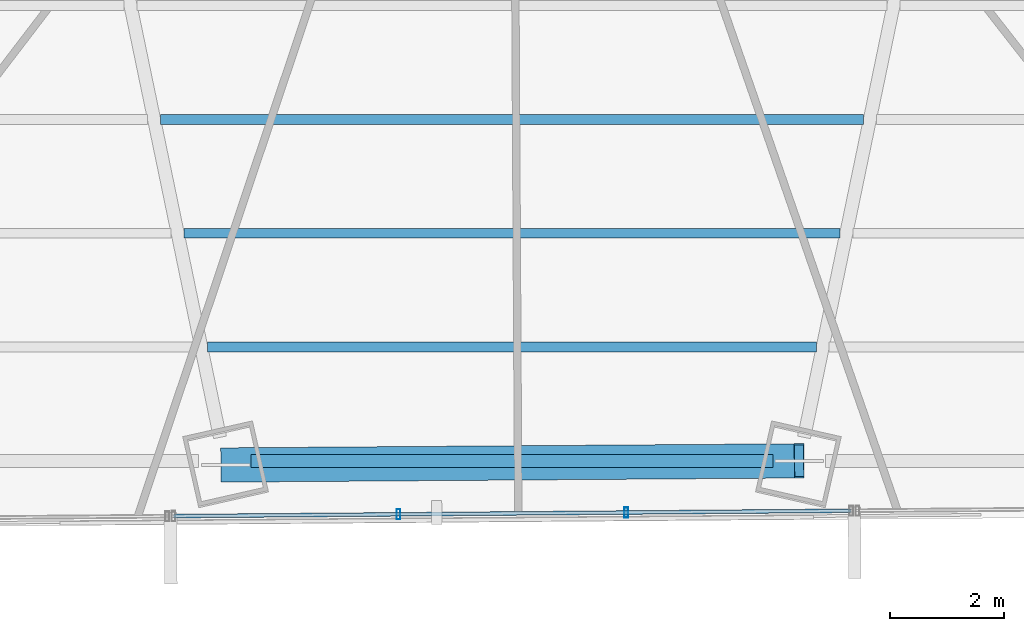
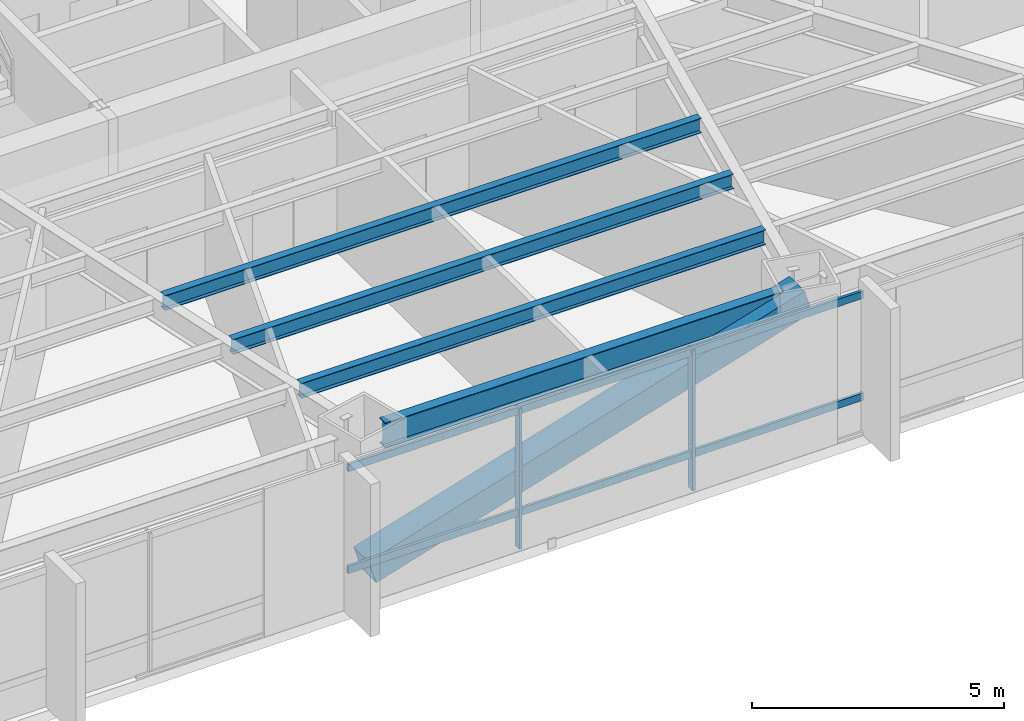
# One storey, part 8 of 34: 5 members, 4 beams, 1 element without a shape of its own.
"""IFC4 building model written with IfcOpenShell, lengths in metres."""

from ifc_helpers import new_model, si_unit, direction, frame, origin, origin_2d, place, context, subcontext, project, spatial, hollow_rectangle, i_section, extrude, source, transform, mapped, material, material_profile, profile_set, type_object, type_shapes, element, aggregate, save


model = new_model("IFC4")

# Units and contexts
model_context = context("Model", 3, precision=1e-05, world=origin(), true_north=direction((0.0, 1.0)))
body_context = subcontext(model_context, "Body", "Model", "MODEL_VIEW")
ifc_project = project(units=[si_unit("LENGTHUNIT", "METRE"), si_unit("AREAUNIT", "SQUARE_METRE"), si_unit("VOLUMEUNIT", "CUBIC_METRE"), si_unit("PLANEANGLEUNIT", "RADIAN"), si_unit("MASSUNIT", "GRAM", prefix="KILO")], contexts=[model_context])

# Site, building, storey
site_placement = place(None, origin())
site = spatial("IfcSite", under=ifc_project, at=site_placement, CompositionType="ELEMENT")
building_placement = place(site_placement, origin())
building = spatial("IfcBuilding", under=site, at=building_placement, Name="Caelisora Broadcast Tower", CompositionType="ELEMENT")
storey_placement = place(building_placement, frame((0.0, 0.0, 56.800048828125)))
storey = spatial("IfcBuildingStorey", under=building, at=storey_placement, Name="L14", CompositionType="ELEMENT", Elevation=56.800048828125)

# Beams
ifc_material_1 = material(Name="Steel Grade 350 (AS/NZS 3679.1)", Category="steel")
ifc_material_profile_1 = material_profile(ifc_material_1, i_section(OverallWidth=0.22900390625, OverallDepth=0.611572265625, WebThickness=0.011962890625, FlangeThickness=0.01953125, at=origin_2d()), Name="Steel Grade 350 (AS/NZS 3679.1)")
ifc_profile_set_1 = profile_set([ifc_material_profile_1], Name="Steel Grade 350 (AS/NZS 3679.1)")
beam_type_1 = type_object("IfcBeamType", Name="PG03", PredefinedType="BEAM", material=ifc_profile_set_1)
shared_shape_1 = source(origin(), body_context, "Body", "SweptSolid", [
    extrude(i_section(OverallWidth=0.22900390625, OverallDepth=0.611572265625, WebThickness=0.011962890625, FlangeThickness=0.01953125, at=origin_2d()), origin(), (0.0, 0.0, 1.0), 9.1298828125),
])
type_shapes(beam_type_1, [shared_shape_1])
beam_1_placement = place(storey_placement, frame((33.43505859375, 5.45068359375, 3.09423828125), z_axis=(1.0, 0.0, 0.0), x_axis=(0.0, 1.0, 0.0)))
element("IfcBeam", 1, at=beam_1_placement, inside=storey, type_object=beam_type_1, Name="L14 beam PG03", PredefinedType="BEAM", context=body_context, shape_type="MappedRepresentation", body=[
    mapped(shared_shape_1, transform((0.0, 0.0, 0.0), scale=1.0)),
])
ifc_material_profile_2 = material_profile(ifc_material_1, i_section(OverallWidth=0.172119140625, OverallDepth=0.358642578125, WebThickness=0.008056640625, FlangeThickness=0.012939453125, at=origin_2d()), Name="Steel Grade 350 (AS/NZS 3679.1)")
ifc_profile_set_2 = profile_set([ifc_material_profile_2], Name="Steel Grade 350 (AS/NZS 3679.1)")
beam_type_2 = type_object("IfcBeamType", Name="SB02", PredefinedType="JOIST", material=ifc_profile_set_2)
shared_shape_2 = source(origin(), body_context, "Body", "SweptSolid", [
    extrude(i_section(OverallWidth=0.172119140625, OverallDepth=0.358642578125, WebThickness=0.008056640625, FlangeThickness=0.012939453125, at=origin_2d()), origin(), (0.0, 0.0, 1.0), 12.29833984375),
])
beam_2_placement = place(storey_placement, frame((31.850830078125, 11.42529296875, 3.220703125), z_axis=(1.0, 0.0, 0.0), x_axis=(0.0, 1.0, 0.0)))
element("IfcBeam", 2, at=beam_2_placement, inside=storey, type_object=beam_type_2, Name="L14 beam SB02", PredefinedType="JOIST", context=body_context, shape_type="MappedRepresentation", body=[
    mapped(shared_shape_2, transform((0.0, 0.0, 0.0), scale=1.0)),
])
shared_shape_3 = source(origin(), body_context, "Body", "SweptSolid", [
    extrude(i_section(OverallWidth=0.172119140625, OverallDepth=0.358642578125, WebThickness=0.008056640625, FlangeThickness=0.012939453125, at=origin_2d()), origin(), (0.0, 0.0, 1.0), 11.47314453125),
])
beam_3_placement = place(storey_placement, frame((32.263427734375, 9.433837890625, 3.220703125), z_axis=(1.0, 0.0, 0.0), x_axis=(0.0, 1.0, 0.0)))
element("IfcBeam", 3, at=beam_3_placement, inside=storey, type_object=beam_type_2, Name="L14 beam SB02", PredefinedType="JOIST", context=body_context, shape_type="MappedRepresentation", body=[
    mapped(shared_shape_3, transform((0.0, 0.0, 0.0), scale=1.0)),
])
shared_shape_4 = source(origin(), body_context, "Body", "SweptSolid", [
    extrude(i_section(OverallWidth=0.172119140625, OverallDepth=0.358642578125, WebThickness=0.008056640625, FlangeThickness=0.012939453125, at=origin_2d()), origin(), (0.0, 0.0, 1.0), 10.64794921875),
])
type_shapes(beam_type_2, [shared_shape_2, shared_shape_3, shared_shape_4])
beam_4_placement = place(storey_placement, frame((32.676025390625, 7.442138671875, 3.220703125), z_axis=(1.0, 0.0, 0.0), x_axis=(0.0, 1.0, 0.0)))
element("IfcBeam", 4, at=beam_4_placement, inside=storey, type_object=beam_type_2, Name="L14 beam SB02", PredefinedType="JOIST", context=body_context, shape_type="MappedRepresentation", body=[
    mapped(shared_shape_4, transform((0.0, 0.0, 0.0), scale=1.0)),
])

# Member
ifc_material_2 = material(Name="Steel Grade 450 L15 (AS/NZS 3678)", Category="steel")
ifc_material_profile_3 = material_profile(ifc_material_2, hollow_rectangle(XDim=0.60009765625, YDim=0.60009765625, WallThickness=0.02490234375, at=origin_2d()), Name="Steel Grade 450 L15 (AS/NZS 3678)")
ifc_profile_set_3 = profile_set([ifc_material_profile_3], Name="Steel Grade 450 L15 (AS/NZS 3678)")
member_type_1 = type_object("IfcMemberType", Name="BR01", PredefinedType="BRACE", material=ifc_profile_set_3)
shared_shape_5 = source(origin(), body_context, "Body", "SweptSolid", [
    extrude(hollow_rectangle(XDim=0.60009765625, YDim=0.60009765625, WallThickness=0.02490234375, at=origin_2d()), origin(), (0.0, 0.0, 1.0), 10.47265625),
])
type_shapes(member_type_1, [shared_shape_5])
member_1_placement = place(storey_placement, frame((32.991455078125, 5.37841796875, 0.099853515625), z_axis=(0.958066784917, 0.006900449384, 0.286461898753), x_axis=(-0.007202285391, 0.999974063206, 0.0)))
element("IfcMember", 5, at=member_1_placement, inside=storey, type_object=member_type_1, Name="L14 perimeter brace BR01", PredefinedType="BRACE", context=body_context, shape_type="MappedRepresentation", body=[
    mapped(shared_shape_5, transform((0.0, 0.0, 0.0), scale=1.0)),
])

# Curtain wall, members
ifc_material_3 = material(Name="Unitised Aluminium Insulated Shadow-Box Spandrel Curtain Wall", Category="aluminium")
curtain_wall_type = type_object("IfcCurtainWallType", Name="CW-SP1", PredefinedType="NOTDEFINED", material=ifc_material_3)
curtain_wall_placement = place(storey_placement, origin())
curtain_wall = element("IfcCurtainWall", 6, at=curtain_wall_placement, inside=storey, type_object=curtain_wall_type, Name="L14 curtain wall CW-SP1", PredefinedType="NOTDEFINED")
ifc_material_4 = material(Name="Aluminium 6063-T6 Anodised Terracotta Bronze", Category="aluminium")
ifc_material_profile_4 = material_profile(ifc_material_4, hollow_rectangle(XDim=0.06494140625, YDim=0.179931640625, WallThickness=0.00341796875, at=origin_2d()), Name="Aluminium 6063-T6 Anodised Terracotta Bronze")
ifc_profile_set_4 = profile_set([ifc_material_profile_4], Name="Aluminium 6063-T6 Anodised Terracotta Bronze")
member_type_2 = type_object("IfcMemberType", Name="CWM-02", PredefinedType="MULLION", material=ifc_profile_set_4)
shared_shape_6 = source(origin(), body_context, "Body", "SweptSolid", [
    extrude(hollow_rectangle(XDim=0.06494140625, YDim=0.179931640625, WallThickness=0.00341796875, at=origin_2d()), origin(), (0.0, 0.0, 1.0), 3.39990234375),
])
type_shapes(member_type_2, [shared_shape_6])
member_2_placement = place(storey_placement, frame((39.99951171875, 4.546875, 0.0), z_axis=(0.0, 0.0, 1.0), x_axis=(1.0, 0.0, 0.0)))
member_2 = element("IfcMember", 7, at=member_2_placement, type_object=member_type_2, Name="L14-CW-B06 mullion #1", PredefinedType="MULLION", context=body_context, shape_type="MappedRepresentation", body=[
    mapped(shared_shape_6, transform((0.0, 0.0, 0.0), scale=1.0)),
])
member_3_placement = place(storey_placement, frame((36.013916015625, 4.51513671875, 0.0), z_axis=(0.0, 0.0, 1.0), x_axis=(1.0, 0.0, 0.0)))
member_3 = element("IfcMember", 8, at=member_3_placement, type_object=member_type_2, Name="L14-CW-B06 mullion #2", PredefinedType="MULLION", context=body_context, shape_type="MappedRepresentation", body=[
    mapped(shared_shape_6, transform((0.0, 0.0, 0.0), scale=1.0)),
])
ifc_material_profile_5 = material_profile(ifc_material_4, hollow_rectangle(XDim=0.06494140625, YDim=0.179931640625, WallThickness=0.00341796875, at=origin_2d()), Name="Aluminium 6063-T6 Anodised Terracotta Bronze")
ifc_profile_set_5 = profile_set([ifc_material_profile_5], Name="Aluminium 6063-T6 Anodised Terracotta Bronze")
member_type_3 = type_object("IfcMemberType", Name="CWT-01", PredefinedType="USERDEFINED", material=ifc_profile_set_5)
shared_shape_7 = source(origin(), body_context, "Body", "SweptSolid", [
    extrude(hollow_rectangle(XDim=0.06494140625, YDim=0.179931640625, WallThickness=0.00341796875, at=origin_2d()), origin(), (0.0, 0.0, 1.0), 11.856689453125),
])
type_shapes(member_type_3, [shared_shape_7])
member_4_placement = place(storey_placement, frame((43.934814453125, 4.577880859375, 0.849853515625), z_axis=(-0.999968576108, -0.007927597179, 0.0), x_axis=(0.007927597179, -0.999968576108, 0.0)))
member_4 = element("IfcMember", 9, at=member_4_placement, type_object=member_type_3, Name="L14-CW-B06 transom #1", ObjectType="TRANSOM", PredefinedType="USERDEFINED", context=body_context, shape_type="MappedRepresentation", body=[
    mapped(shared_shape_7, transform((0.0, 0.0, 0.0), scale=1.0)),
])
member_5_placement = place(storey_placement, frame((43.934814453125, 4.577880859375, 3.320068359375), z_axis=(-0.999968576108, -0.007927597179, 0.0), x_axis=(0.007927597179, -0.999968576108, 0.0)))
member_5 = element("IfcMember", 10, at=member_5_placement, type_object=member_type_3, Name="L14-CW-B06 transom #2", ObjectType="TRANSOM", PredefinedType="USERDEFINED", context=body_context, shape_type="MappedRepresentation", body=[
    mapped(shared_shape_7, transform((0.0, 0.0, 0.0), scale=1.0)),
])
aggregate(curtain_wall, [member_2, member_3, member_4, member_5])

save(model, "model.ifc")
